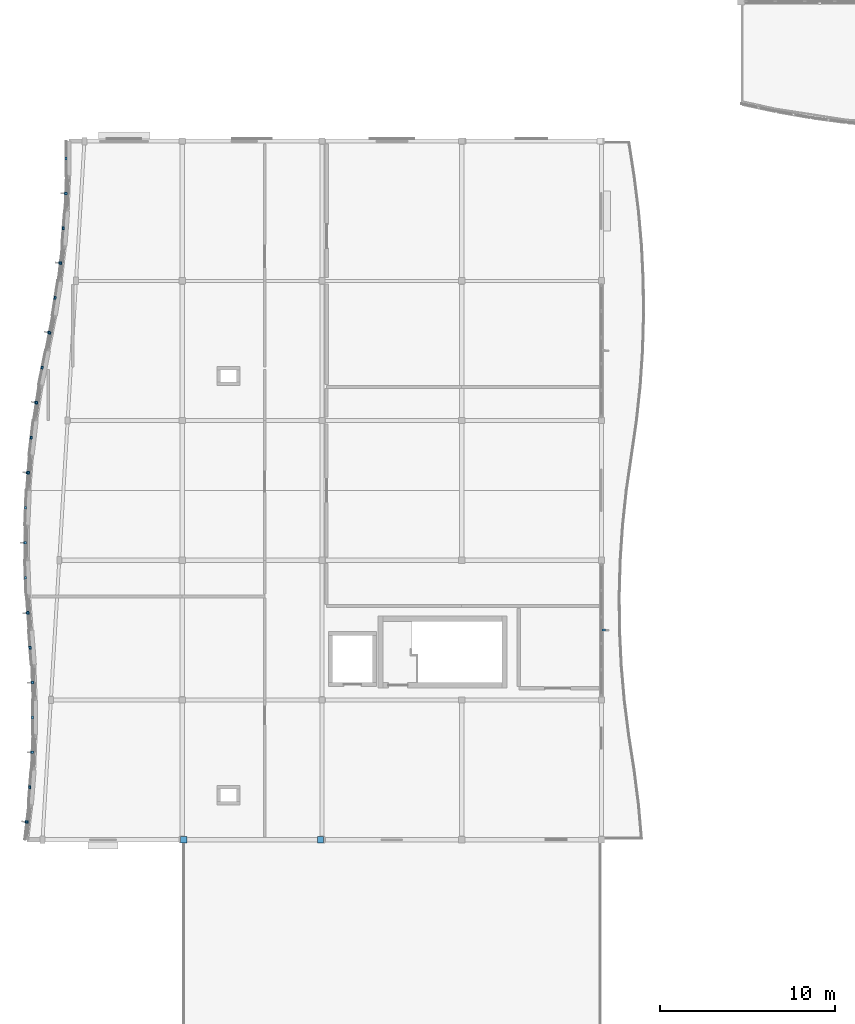
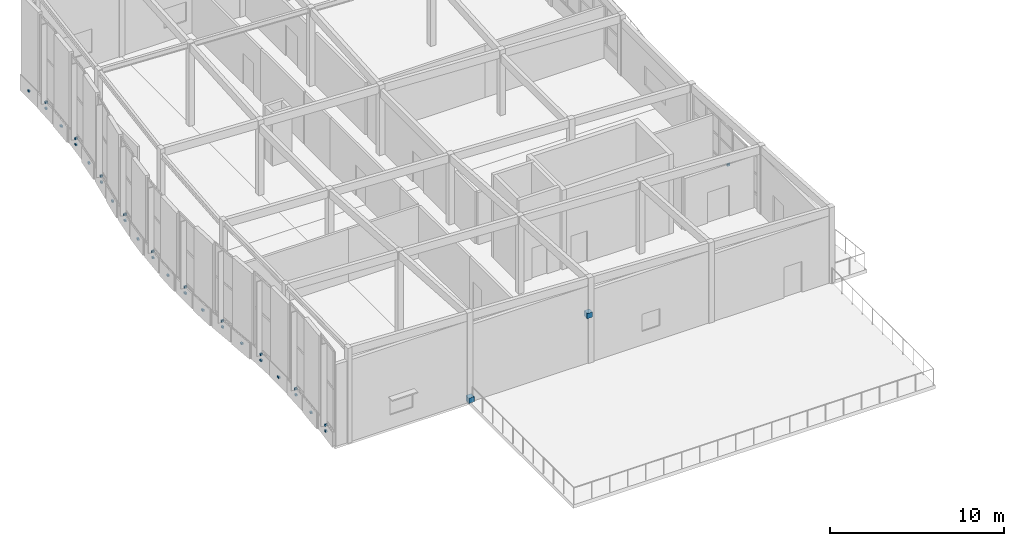
# One storey, part 35 of 52: 33 discrete accessories.
"""IFC4 building model written with IfcOpenShell, lengths in metres."""

from ifc_helpers import new_model, si_unit, direction, frame, origin, origin_2d, place, context, subcontext, project, spatial, rectangle, extrude, material, type_object, element, save


model = new_model("IFC4")

# Units and contexts
model_context = context("Model", 3, precision=1e-05, world=origin(), true_north=direction((0.0, 1.0)))
body_context = subcontext(model_context, "Body", "Model", "MODEL_VIEW")
ifc_project = project(units=[si_unit("LENGTHUNIT", "METRE"), si_unit("AREAUNIT", "SQUARE_METRE"), si_unit("VOLUMEUNIT", "CUBIC_METRE"), si_unit("PLANEANGLEUNIT", "RADIAN"), si_unit("MASSUNIT", "GRAM", prefix="KILO")], contexts=[model_context])

# Site, building, storey
site_placement = place(None, origin())
site = spatial("IfcSite", under=ifc_project, at=site_placement, CompositionType="ELEMENT")
building_placement = place(site_placement, origin())
building = spatial("IfcBuilding", under=site, at=building_placement, Name="Tonlespit Floodbar School", CompositionType="ELEMENT")
storey_placement = place(building_placement, frame((0.0, 0.0, 12.300048828125)))
storey = spatial("IfcBuildingStorey", under=building, at=storey_placement, Name="L03", CompositionType="ELEMENT", Elevation=12.300048828125)

# Discrete accessories
ifc_material_1 = material(Name="Galvanised Steel", Category="steel")
discrete_accessory_type_1 = type_object("IfcDiscreteAccessoryType", Name="Bracket_Facade_S355", PredefinedType="BRACKET", material=ifc_material_1)
discrete_accessory_1_placement = place(storey_placement, frame((3.103759765625, 57.01513671875, 0.35498046875), z_axis=(0.0, 0.0, 1.0), x_axis=(0.116991411823, 0.99313292643, 0.0)))
element("IfcDiscreteAccessory", 1, at=discrete_accessory_1_placement, inside=storey, type_object=discrete_accessory_type_1, Name="L03 white band support bracket 0569", PredefinedType="BRACKET", context=body_context, shape_type="SweptSolid", body=[
    extrude(rectangle(XDim=0.159912109375, YDim=0.1201171875, at=origin_2d()), origin(), (0.0, 0.0, 1.0), 0.1201171875),
])
discrete_accessory_2_placement = place(storey_placement, frame((3.09375, 57.016357421875, 0.77978515625), z_axis=(0.0, 0.0, 1.0), x_axis=(0.116991411823, 0.99313292643, 0.0)))
element("IfcDiscreteAccessory", 2, at=discrete_accessory_2_placement, inside=storey, type_object=discrete_accessory_type_1, Name="Solar fin support bracket 170", PredefinedType="BRACKET", context=body_context, shape_type="SweptSolid", body=[
    extrude(rectangle(XDim=0.1201171875, YDim=0.179931640625, at=origin_2d()), origin(), (0.0, 0.0, 1.0), 0.139892578125),
])
for number, where, z_axis, x_axis, name in (
    (3, (3.2705078125, 59.0126953125, 0.3798828125), (0.0, 0.0, 1.0), (0.079001948152, 0.996874461599, 0.0), "L03 white band support bracket 0570"),
    (4, (3.419921875, 61.00537109375, 0.35498046875), (0.0, 0.0, 1.0), (0.040715999914, 0.999170759856, 0.0), "L03 white band support bracket 0571"),
):
    element("IfcDiscreteAccessory", number, at=place(storey_placement, frame(where, z_axis=z_axis, x_axis=x_axis)), inside=storey, type_object=discrete_accessory_type_1, Name=name, PredefinedType="BRACKET", context=body_context, shape_type="SweptSolid", body=[
        extrude(rectangle(XDim=0.159912109375, YDim=0.1201171875, at=origin_2d()), origin(), (0.0, 0.0, 1.0), 0.1201171875),
    ])
discrete_accessory_3_placement = place(storey_placement, frame((3.409912109375, 61.005615234375, 0.77978515625), z_axis=(0.0, 0.0, 1.0), x_axis=(0.040715999914, 0.999170759856, 0.0)))
element("IfcDiscreteAccessory", 5, at=discrete_accessory_3_placement, inside=storey, type_object=discrete_accessory_type_1, Name="Solar fin support bracket 171", PredefinedType="BRACKET", context=body_context, shape_type="SweptSolid", body=[
    extrude(rectangle(XDim=0.1201171875, YDim=0.179931640625, at=origin_2d()), origin(), (0.0, 0.0, 1.0), 0.139892578125),
])
for number, where, z_axis, x_axis, name in (
    (6, (3.432861328125, 63.00048828125, 0.3798828125), (0.0, 0.0, 1.0), (0.00220085841, 0.999997578108, 0.0), "L03 white band support bracket 0572"),
    (7, (3.428466796875, 64.9951171875, 0.35498046875), (0.0, 0.0, 1.0), (-0.036575686496, 0.999330885722, 0.0), "L03 white band support bracket 0573"),
):
    element("IfcDiscreteAccessory", number, at=place(storey_placement, frame(where, z_axis=z_axis, x_axis=x_axis)), inside=storey, type_object=discrete_accessory_type_1, Name=name, PredefinedType="BRACKET", context=body_context, shape_type="SweptSolid", body=[
        extrude(rectangle(XDim=0.159912109375, YDim=0.1201171875, at=origin_2d()), origin(), (0.0, 0.0, 1.0), 0.1201171875),
    ])
discrete_accessory_4_placement = place(storey_placement, frame((3.41845703125, 64.994873046875, 0.77978515625), z_axis=(0.0, 0.0, 1.0), x_axis=(-0.036575686496, 0.999330885722, 0.0)))
element("IfcDiscreteAccessory", 8, at=discrete_accessory_4_placement, inside=storey, type_object=discrete_accessory_type_1, Name="Solar fin support bracket 172", PredefinedType="BRACKET", context=body_context, shape_type="SweptSolid", body=[
    extrude(rectangle(XDim=0.1201171875, YDim=0.179931640625, at=origin_2d()), origin(), (0.0, 0.0, 1.0), 0.139892578125),
])
for number, where, z_axis, x_axis, name in (
    (9, (3.286376953125, 66.98779296875, 0.3798828125), (0.0, 0.0, 1.0), (-0.075681836348, 0.997132017161, 0.0), "L03 white band support bracket 0574"),
    (10, (3.16455078125, 68.990234375, 0.35498046875), (0.0, 0.0, 1.0), (-0.075681836348, 0.997132017161, 0.0), "L03 white band support bracket 0575"),
):
    element("IfcDiscreteAccessory", number, at=place(storey_placement, frame(where, z_axis=z_axis, x_axis=x_axis)), inside=storey, type_object=discrete_accessory_type_1, Name=name, PredefinedType="BRACKET", context=body_context, shape_type="SweptSolid", body=[
        extrude(rectangle(XDim=0.159912109375, YDim=0.1201171875, at=origin_2d()), origin(), (0.0, 0.0, 1.0), 0.1201171875),
    ])
discrete_accessory_5_placement = place(storey_placement, frame((3.154541015625, 68.989501953125, 0.77978515625), z_axis=(0.0, 0.0, 1.0), x_axis=(-0.075681836348, 0.997132017161, 0.0)))
element("IfcDiscreteAccessory", 11, at=discrete_accessory_5_placement, inside=storey, type_object=discrete_accessory_type_1, Name="Solar fin support bracket 173", PredefinedType="BRACKET", context=body_context, shape_type="SweptSolid", body=[
    extrude(rectangle(XDim=0.1201171875, YDim=0.179931640625, at=origin_2d()), origin(), (0.0, 0.0, 1.0), 0.139892578125),
])
for number, where, z_axis, x_axis, name in (
    (12, (3.021728515625, 70.994140625, 0.3798828125), (0.0, 0.0, 1.0), (-0.036575686496, 0.999330885722, 0.0), "L03 white band support bracket 0576"),
    (13, (3.01708984375, 73.000244140625, 0.35498046875), (0.0, 0.0, 1.0), (0.00220085841, 0.999997578108, 0.0), "L03 white band support bracket 0577"),
):
    element("IfcDiscreteAccessory", number, at=place(storey_placement, frame(where, z_axis=z_axis, x_axis=x_axis)), inside=storey, type_object=discrete_accessory_type_1, Name=name, PredefinedType="BRACKET", context=body_context, shape_type="SweptSolid", body=[
        extrude(rectangle(XDim=0.159912109375, YDim=0.1201171875, at=origin_2d()), origin(), (0.0, 0.0, 1.0), 0.1201171875),
    ])
discrete_accessory_6_placement = place(storey_placement, frame((3.007080078125, 73.000244140625, 0.77978515625), z_axis=(0.0, 0.0, 1.0), x_axis=(0.00220085841, 0.999997578108, 0.0)))
element("IfcDiscreteAccessory", 14, at=discrete_accessory_6_placement, inside=storey, type_object=discrete_accessory_type_1, Name="Solar fin support bracket 174", PredefinedType="BRACKET", context=body_context, shape_type="SweptSolid", body=[
    extrude(rectangle(XDim=0.1201171875, YDim=0.179931640625, at=origin_2d()), origin(), (0.0, 0.0, 1.0), 0.139892578125),
])
for number, where, z_axis, x_axis, name in (
    (15, (3.0302734375, 75.006591796875, 0.3798828125), (0.0, 0.0, 1.0), (0.040715999914, 0.999170759856, 0.0), "L03 white band support bracket 0578"),
    (16, (3.1806640625, 77.01025390625, 0.35498046875), (0.0, 0.0, 1.0), (0.079001948152, 0.996874461599, 0.0), "L03 white band support bracket 0579"),
):
    element("IfcDiscreteAccessory", number, at=place(storey_placement, frame(where, z_axis=z_axis, x_axis=x_axis)), inside=storey, type_object=discrete_accessory_type_1, Name=name, PredefinedType="BRACKET", context=body_context, shape_type="SweptSolid", body=[
        extrude(rectangle(XDim=0.159912109375, YDim=0.1201171875, at=origin_2d()), origin(), (0.0, 0.0, 1.0), 0.1201171875),
    ])
discrete_accessory_7_placement = place(storey_placement, frame((3.170654296875, 77.010986328125, 0.77978515625), z_axis=(0.0, 0.0, 1.0), x_axis=(0.079001948152, 0.996874461599, 0.0)))
element("IfcDiscreteAccessory", 17, at=discrete_accessory_7_placement, inside=storey, type_object=discrete_accessory_type_1, Name="Solar fin support bracket 175", PredefinedType="BRACKET", context=body_context, shape_type="SweptSolid", body=[
    extrude(rectangle(XDim=0.1201171875, YDim=0.179931640625, at=origin_2d()), origin(), (0.0, 0.0, 1.0), 0.139892578125),
])
for number, where, z_axis, x_axis, name in (
    (18, (3.348388671875, 79.018798828125, 0.3798828125), (0.0, 0.0, 1.0), (0.116991411823, 0.99313292643, 0.0), "L03 white band support bracket 0580"),
    (19, (3.6533203125, 81.02001953125, 0.35498046875), (0.0, 0.0, 1.0), (0.154713834929, 0.987959325722, 0.0), "L03 white band support bracket 0581"),
):
    element("IfcDiscreteAccessory", number, at=place(storey_placement, frame(where, z_axis=z_axis, x_axis=x_axis)), inside=storey, type_object=discrete_accessory_type_1, Name=name, PredefinedType="BRACKET", context=body_context, shape_type="SweptSolid", body=[
        extrude(rectangle(XDim=0.159912109375, YDim=0.1201171875, at=origin_2d()), origin(), (0.0, 0.0, 1.0), 0.1201171875),
    ])
discrete_accessory_8_placement = place(storey_placement, frame((3.643310546875, 81.021728515625, 0.77978515625), z_axis=(0.0, 0.0, 1.0), x_axis=(0.154713834929, 0.987959325722, 0.0)))
element("IfcDiscreteAccessory", 20, at=discrete_accessory_8_placement, inside=storey, type_object=discrete_accessory_type_1, Name="Solar fin support bracket 176", PredefinedType="BRACKET", context=body_context, shape_type="SweptSolid", body=[
    extrude(rectangle(XDim=0.1201171875, YDim=0.179931640625, at=origin_2d()), origin(), (0.0, 0.0, 1.0), 0.139892578125),
])
for number, where, z_axis, x_axis, name in (
    (21, (3.97705078125, 83.03076171875, 0.3798828125), (0.0, 0.0, 1.0), (0.192246217643, 0.98134672354, 0.0), "L03 white band support bracket 0582"),
    (22, (4.398193359375, 85.02490234375, 0.35498046875), (0.0, 0.0, 1.0), (0.192246217643, 0.98134672354, 0.0), "L03 white band support bracket 0583"),
):
    element("IfcDiscreteAccessory", number, at=place(storey_placement, frame(where, z_axis=z_axis, x_axis=x_axis)), inside=storey, type_object=discrete_accessory_type_1, Name=name, PredefinedType="BRACKET", context=body_context, shape_type="SweptSolid", body=[
        extrude(rectangle(XDim=0.159912109375, YDim=0.1201171875, at=origin_2d()), origin(), (0.0, 0.0, 1.0), 0.1201171875),
    ])
discrete_accessory_9_placement = place(storey_placement, frame((4.388427734375, 85.02685546875, 0.77978515625), z_axis=(0.0, 0.0, 1.0), x_axis=(0.192246217643, 0.98134672354, 0.0)))
element("IfcDiscreteAccessory", 23, at=discrete_accessory_9_placement, inside=storey, type_object=discrete_accessory_type_1, Name="Solar fin support bracket 177", PredefinedType="BRACKET", context=body_context, shape_type="SweptSolid", body=[
    extrude(rectangle(XDim=0.1201171875, YDim=0.179931640625, at=origin_2d()), origin(), (0.0, 0.0, 1.0), 0.139892578125),
])
for number, where, z_axis, x_axis, name in (
    (24, (4.72021484375, 87.02490234375, 0.3798828125), (0.0, 0.0, 1.0), (0.154713834929, 0.987959325722, 0.0), "L03 white band support bracket 0584"),
    (25, (5.023681640625, 89.01513671875, 0.35498046875), (0.0, 0.0, 1.0), (0.116991411823, 0.99313292643, 0.0), "L03 white band support bracket 0585"),
):
    element("IfcDiscreteAccessory", number, at=place(storey_placement, frame(where, z_axis=z_axis, x_axis=x_axis)), inside=storey, type_object=discrete_accessory_type_1, Name=name, PredefinedType="BRACKET", context=body_context, shape_type="SweptSolid", body=[
        extrude(rectangle(XDim=0.159912109375, YDim=0.1201171875, at=origin_2d()), origin(), (0.0, 0.0, 1.0), 0.1201171875),
    ])
discrete_accessory_10_placement = place(storey_placement, frame((5.013916015625, 89.016357421875, 0.77978515625), z_axis=(0.0, 0.0, 1.0), x_axis=(0.116991411823, 0.99313292643, 0.0)))
element("IfcDiscreteAccessory", 26, at=discrete_accessory_10_placement, inside=storey, type_object=discrete_accessory_type_1, Name="Solar fin support bracket 178", PredefinedType="BRACKET", context=body_context, shape_type="SweptSolid", body=[
    extrude(rectangle(XDim=0.1201171875, YDim=0.179931640625, at=origin_2d()), origin(), (0.0, 0.0, 1.0), 0.139892578125),
])
for number, where, z_axis, x_axis, name in (
    (27, (5.1904296875, 91.0126953125, 0.3798828125), (0.0, 0.0, 1.0), (0.079001948152, 0.996874461599, 0.0), "L03 white band support bracket 0586"),
    (28, (5.340087890625, 93.00537109375, 0.35498046875), (0.0, 0.0, 1.0), (0.040715999914, 0.999170759856, 0.0), "L03 white band support bracket 0587"),
):
    element("IfcDiscreteAccessory", number, at=place(storey_placement, frame(where, z_axis=z_axis, x_axis=x_axis)), inside=storey, type_object=discrete_accessory_type_1, Name=name, PredefinedType="BRACKET", context=body_context, shape_type="SweptSolid", body=[
        extrude(rectangle(XDim=0.159912109375, YDim=0.1201171875, at=origin_2d()), origin(), (0.0, 0.0, 1.0), 0.1201171875),
    ])
discrete_accessory_11_placement = place(storey_placement, frame((5.330078125, 93.005615234375, 0.77978515625), z_axis=(0.0, 0.0, 1.0), x_axis=(0.040715999914, 0.999170759856, 0.0)))
element("IfcDiscreteAccessory", 29, at=discrete_accessory_11_placement, inside=storey, type_object=discrete_accessory_type_1, Name="Solar fin support bracket 179", PredefinedType="BRACKET", context=body_context, shape_type="SweptSolid", body=[
    extrude(rectangle(XDim=0.1201171875, YDim=0.179931640625, at=origin_2d()), origin(), (0.0, 0.0, 1.0), 0.139892578125),
])
discrete_accessory_12_placement = place(storey_placement, frame((5.352783203125, 95.00048828125, 0.3798828125), z_axis=(0.0, 0.0, 1.0), x_axis=(0.00220085841, 0.999997578108, 0.0)))
element("IfcDiscreteAccessory", 30, at=discrete_accessory_12_placement, inside=storey, type_object=discrete_accessory_type_1, Name="L03 white band support bracket 0588", PredefinedType="BRACKET", context=body_context, shape_type="SweptSolid", body=[
    extrude(rectangle(XDim=0.159912109375, YDim=0.1201171875, at=origin_2d()), origin(), (0.0, 0.0, 1.0), 0.1201171875),
])
discrete_accessory_13_placement = place(storey_placement, frame((36.132568359375, 68.0, 0.77978515625), z_axis=(0.0, 0.0, 1.0), x_axis=(0.0, -1.0, 0.0)))
element("IfcDiscreteAccessory", 31, at=discrete_accessory_13_placement, inside=storey, type_object=discrete_accessory_type_1, Name="Solar fin support bracket 183", PredefinedType="BRACKET", context=body_context, shape_type="SweptSolid", body=[
    extrude(rectangle(XDim=0.1201171875, YDim=0.179931640625, at=origin_2d()), origin(), (0.0, 0.0, 1.0), 0.139892578125),
])
ifc_material_2 = material(Name="Steel S355", Category="steel")
discrete_accessory_type_2 = type_object("IfcDiscreteAccessoryType", Name="GussetShoe_Brace_S355", PredefinedType="SHOE", material=ifc_material_2)
for number, where, z_axis, x_axis, name in (
    (32, (12.080078125, 56.0, -0.0302734375), (0.0, 0.0, 1.0), (1.0, 0.0, 0.0), "L03 brace and chord end gusset shoe 0025"),
    (33, (19.919921875, 56.0, 3.169921875), (0.0, 0.0, 1.0), (1.0, 0.0, 0.0), "L03 brace and chord end gusset shoe 0026"),
):
    element("IfcDiscreteAccessory", number, at=place(storey_placement, frame(where, z_axis=z_axis, x_axis=x_axis)), inside=storey, type_object=discrete_accessory_type_2, Name=name, PredefinedType="SHOE", context=body_context, shape_type="SweptSolid", body=[
        extrude(rectangle(XDim=0.360107421875, YDim=0.360107421875, at=origin_2d()), origin(), (0.0, 0.0, 1.0), 0.360107421875),
    ])

save(model, "model.ifc")
